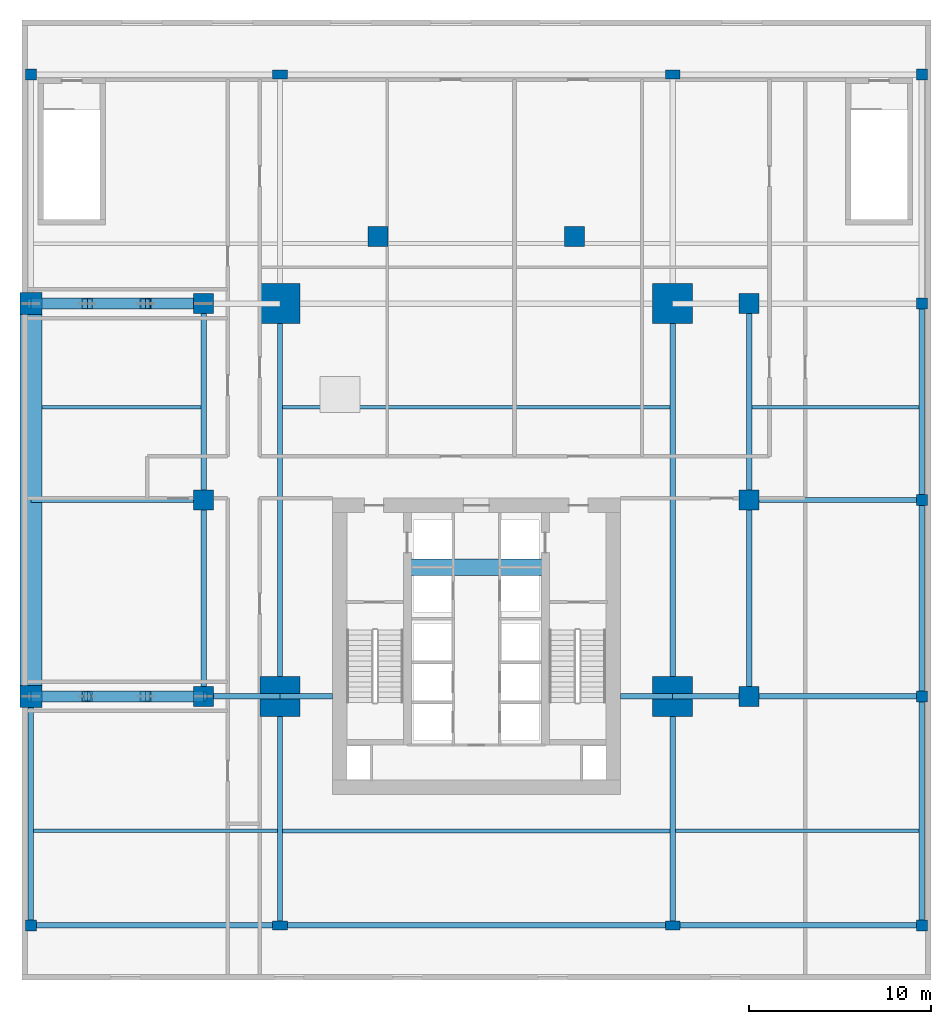
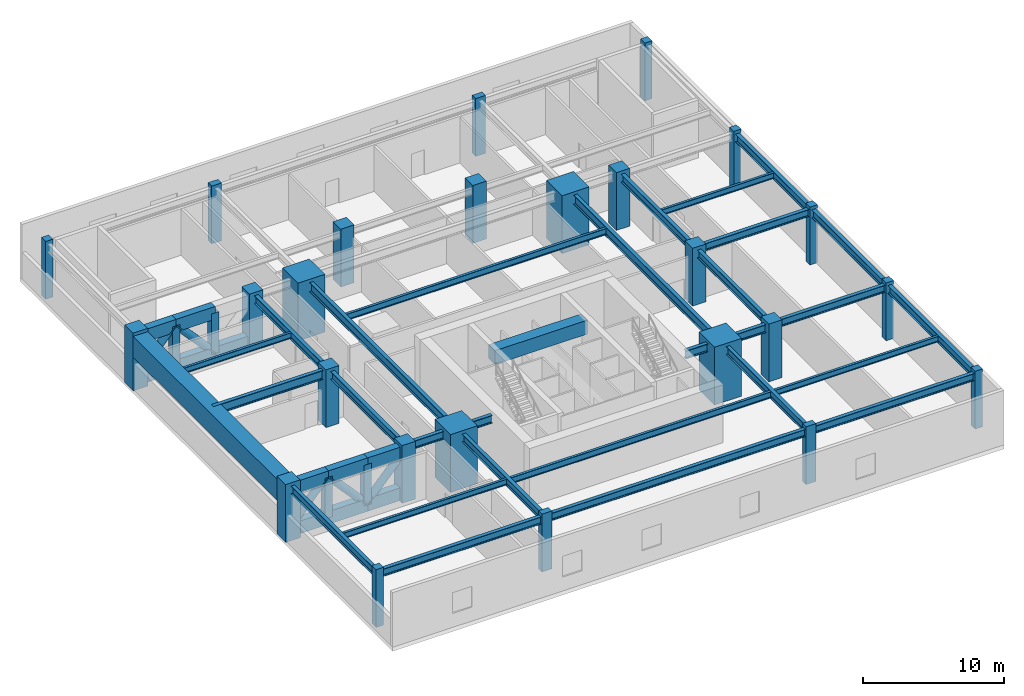
# One storey, part 1 of 7: 41 beams, 25 columns, 9 members.
"""IFC4 building model written with IfcOpenShell, lengths in metres."""

from ifc_helpers import new_model, si_unit, direction, frame, origin, origin_2d, place, context, subcontext, project, spatial, rectangle, hollow_rectangle, hollow_circle, i_section, extrude, source, transform, mapped, material, material_profile, profile_set, type_object, type_shapes, element, save


model = new_model("IFC4")

# Units and contexts
model_context = context("Model", 3, precision=1e-05, world=origin(), true_north=direction((0.0, 1.0)))
body_context = subcontext(model_context, "Body", "Model", "MODEL_VIEW")
ifc_project = project(units=[si_unit("LENGTHUNIT", "METRE"), si_unit("AREAUNIT", "SQUARE_METRE"), si_unit("VOLUMEUNIT", "CUBIC_METRE"), si_unit("PLANEANGLEUNIT", "RADIAN"), si_unit("MASSUNIT", "GRAM", prefix="KILO")], contexts=[model_context])

# Site, building, storey
site_placement = place(None, origin())
site = spatial("IfcSite", under=ifc_project, at=site_placement, CompositionType="ELEMENT")
building_placement = place(site_placement, origin())
building = spatial("IfcBuilding", under=site, at=building_placement, Name="Krantzveldt Concourse Tower", CompositionType="ELEMENT")
storey_placement = place(building_placement, frame((0.0, 0.0, 20.0)))
storey = spatial("IfcBuildingStorey", under=building, at=storey_placement, Name="L04", CompositionType="ELEMENT", Elevation=20.0)

# Columns
ifc_material_1 = material(Name="Concrete C60/75", Category="concrete")
ifc_material_profile_1 = material_profile(ifc_material_1, rectangle(XDim=2.199951171875, YDim=2.199951171875, at=origin_2d()), Name="Concrete C60/75", Category="concrete")
ifc_profile_set_1 = profile_set([ifc_material_profile_1], Name="Concrete C60/75 - RC 2200x2200")
column_type_1 = type_object("IfcColumnType", Name="COL-MC-2200", PredefinedType="USERDEFINED", material=ifc_profile_set_1)
shared_shape_1 = source(origin(), body_context, "Body", "SweptSolid", [
    extrude(rectangle(XDim=2.199951171875, YDim=2.199951171875, at=origin_2d()), origin(), (0.0, 0.0, 1.0), 5.0),
])
type_shapes(column_type_1, [shared_shape_1])
for number, where, z_axis, x_axis, name in (
    (1, (25.199951171875, 15.89990234375, 0.0), (0.0, 0.0, 1.0), (1.0, 0.0, 0.0), "MC-SW-L04"),
    (2, (46.800048828125, 15.89990234375, 0.0), (0.0, 0.0, 1.0), (1.0, 0.0, 0.0), "MC-SE-L04"),
    (3, (46.800048828125, 37.5, 0.0), (0.0, 0.0, 1.0), (1.0, 0.0, 0.0), "MC-NE-L04"),
    (4, (25.199951171875, 37.5, 0.0), (0.0, 0.0, 1.0), (1.0, 0.0, 0.0), "MC-NW-L04"),
):
    element("IfcColumn", number, at=place(storey_placement, frame(where, z_axis=z_axis, x_axis=x_axis)), inside=storey, type_object=column_type_1, Name=name, ObjectType="MEGA COLUMN", PredefinedType="USERDEFINED", context=body_context, shape_type="MappedRepresentation", body=[
        mapped(shared_shape_1, transform((0.0, 0.0, 0.0), x_axis=(1.0, 0.0, 0.0), y_axis=(0.0, 1.0, 0.0), z_axis=(0.0, 0.0, 1.0), scale=1.0)),
    ])
ifc_material_profile_2 = material_profile(ifc_material_1, rectangle(XDim=1.10009765625, YDim=1.10009765625, at=origin_2d()), Name="Concrete C60/75", Category="concrete")
ifc_profile_set_2 = profile_set([ifc_material_profile_2], Name="Concrete C60/75 - RC 1100x1100")
column_type_2 = type_object("IfcColumnType", Name="COL-C-Z1", PredefinedType="COLUMN", material=ifc_profile_set_2)
shared_shape_2 = source(origin(), body_context, "Body", "SweptSolid", [
    extrude(rectangle(XDim=1.10009765625, YDim=1.10009765625, at=origin_2d()), origin(), (0.0, 0.0, 1.0), 5.0),
])
type_shapes(column_type_2, [shared_shape_2])
for number, where, z_axis, x_axis, name in (
    (5, (21.0, 15.89990234375, 0.0), (0.0, 0.0, 1.0), (1.0, 0.0, 0.0), "PC-R01-L04"),
    (6, (21.0, 26.699951171875, 0.0), (0.0, 0.0, 1.0), (1.0, 0.0, 0.0), "PC-R02-L04"),
    (7, (21.0, 37.5, 0.0), (0.0, 0.0, 1.0), (1.0, 0.0, 0.0), "PC-R03-L04"),
    (8, (30.60009765625, 41.199951171875, 0.0), (0.0, 0.0, 1.0), (1.0, 0.0, 0.0), "PC-R04-L04"),
    (9, (41.39990234375, 41.199951171875, 0.0), (0.0, 0.0, 1.0), (1.0, 0.0, 0.0), "PC-R05-L04"),
    (10, (51.0, 37.5, 0.0), (0.0, 0.0, 1.0), (1.0, 0.0, 0.0), "PC-R06-L04"),
    (11, (51.0, 26.699951171875, 0.0), (0.0, 0.0, 1.0), (1.0, 0.0, 0.0), "PC-R07-L04"),
    (12, (51.0, 15.89990234375, 0.0), (0.0, 0.0, 1.0), (1.0, 0.0, 0.0), "PC-R08-L04"),
):
    element("IfcColumn", number, at=place(storey_placement, frame(where, z_axis=z_axis, x_axis=x_axis)), inside=storey, type_object=column_type_2, Name=name, PredefinedType="COLUMN", context=body_context, shape_type="MappedRepresentation", body=[
        mapped(shared_shape_2, transform((0.0, 0.0, 0.0), x_axis=(1.0, 0.0, 0.0), y_axis=(0.0, 1.0, 0.0), z_axis=(0.0, 0.0, 1.0), scale=1.0)),
    ])
ifc_material_2 = material(Name="Concrete C40/50", Category="concrete")
ifc_material_profile_3 = material_profile(ifc_material_2, rectangle(XDim=0.60009765625, YDim=0.60009765625, at=origin_2d()), Name="Concrete C40/50", Category="concrete")
ifc_profile_set_3 = profile_set([ifc_material_profile_3], Name="Concrete C40/50 - RC 600x600")
column_type_3 = type_object("IfcColumnType", Name="COL-C-POD", PredefinedType="COLUMN", material=ifc_profile_set_3)
shared_shape_3 = source(origin(), body_context, "Body", "SweptSolid", [
    extrude(rectangle(XDim=0.60009765625, YDim=0.60009765625, at=origin_2d()), origin(), (0.0, 0.0, 1.0), 5.0),
])
type_shapes(column_type_3, [shared_shape_3])
for number, where, z_axis, x_axis, name in (
    (13, (11.5, 50.10009765625, 0.0), (0.0, 0.0, 1.0), (1.0, 0.0, 0.0), "PC-IW4-L04"),
    (14, (11.5, 3.300048828125, 0.0), (0.0, 0.0, 1.0), (1.0, 0.0, 0.0), "PC-IWS-L04"),
    (15, (60.5, 15.89990234375, 0.0), (0.0, 0.0, 1.0), (1.0, 0.0, 0.0), "PC-IE1-L04"),
    (16, (60.5, 26.699951171875, 0.0), (0.0, 0.0, 1.0), (1.0, 0.0, 0.0), "PC-IE2-L04"),
    (17, (60.5, 37.5, 0.0), (0.0, 0.0, 1.0), (1.0, 0.0, 0.0), "PC-IE3-L04"),
    (18, (60.5, 50.10009765625, 0.0), (0.0, 0.0, 1.0), (1.0, 0.0, 0.0), "PC-IE4-L04"),
    (19, (60.5, 3.300048828125, 0.0), (0.0, 0.0, 1.0), (1.0, 0.0, 0.0), "PC-IES-L04"),
):
    element("IfcColumn", number, at=place(storey_placement, frame(where, z_axis=z_axis, x_axis=x_axis)), inside=storey, type_object=column_type_3, Name=name, PredefinedType="COLUMN", context=body_context, shape_type="MappedRepresentation", body=[
        mapped(shared_shape_3, transform((0.0, 0.0, 0.0), x_axis=(1.0, 0.0, 0.0), y_axis=(0.0, 1.0, 0.0), z_axis=(0.0, 0.0, 1.0), scale=1.0)),
    ])
ifc_material_3 = material(Name="Concrete C50/60", Category="concrete")
ifc_material_profile_4 = material_profile(ifc_material_3, rectangle(XDim=1.199951171875, YDim=1.199951171875, at=origin_2d()), Name="Concrete C50/60", Category="concrete")
ifc_profile_set_4 = profile_set([ifc_material_profile_4], Name="Concrete C50/60 - RC 1200x1200")
column_type_4 = type_object("IfcColumnType", Name="COL-MC-1200", PredefinedType="USERDEFINED", material=ifc_profile_set_4)
shared_shape_4 = source(origin(), body_context, "Body", "SweptSolid", [
    extrude(rectangle(XDim=1.199951171875, YDim=1.199951171875, at=origin_2d()), origin(), (0.0, 0.0, 1.0), 5.0),
])
type_shapes(column_type_4, [shared_shape_4])
for number, where, z_axis, x_axis, name in (
    (20, (11.5, 15.89990234375, 0.0), (0.0, 0.0, 1.0), (1.0, 0.0, 0.0), "PC-IW1-L04"),
    (21, (11.5, 37.5, 0.0), (0.0, 0.0, 1.0), (1.0, 0.0, 0.0), "PC-IW3-L04"),
):
    element("IfcColumn", number, at=place(storey_placement, frame(where, z_axis=z_axis, x_axis=x_axis)), inside=storey, type_object=column_type_4, Name=name, ObjectType="MEGA COLUMN", PredefinedType="USERDEFINED", context=body_context, shape_type="MappedRepresentation", body=[
        mapped(shared_shape_4, transform((0.0, 0.0, 0.0), x_axis=(1.0, 0.0, 0.0), y_axis=(0.0, 1.0, 0.0), z_axis=(0.0, 0.0, 1.0), scale=1.0)),
    ])
ifc_material_profile_5 = material_profile(ifc_material_3, rectangle(XDim=0.800048828125, YDim=0.5, at=origin_2d()), Name="Concrete C50/60", Category="concrete")
ifc_profile_set_5 = profile_set([ifc_material_profile_5], Name="Concrete C50/60 - RC-PIL 800x500")
column_type_5 = type_object("IfcColumnType", Name="COL-PIL-800", PredefinedType="PILASTER", material=ifc_profile_set_5)
shared_shape_5 = source(origin(), body_context, "Body", "SweptSolid", [
    extrude(rectangle(XDim=0.800048828125, YDim=0.5, at=origin_2d()), origin(), (0.0, 0.0, 1.0), 5.0),
])
type_shapes(column_type_5, [shared_shape_5])
for number, where, z_axis, x_axis, name in (
    (22, (25.199951171875, 3.300048828125, 0.0), (0.0, 0.0, 1.0), (1.0, 0.0, 0.0), "PC-PIL1-L04"),
    (23, (46.800048828125, 3.300048828125, 0.0), (0.0, 0.0, 1.0), (1.0, 0.0, 0.0), "PC-PIL2-L04"),
    (24, (25.199951171875, 50.10009765625, 0.0), (0.0, 0.0, 1.0), (1.0, 0.0, 0.0), "PC-PIL3-L04"),
    (25, (46.800048828125, 50.10009765625, 0.0), (0.0, 0.0, 1.0), (1.0, 0.0, 0.0), "PC-PIL4-L04"),
):
    element("IfcColumn", number, at=place(storey_placement, frame(where, z_axis=z_axis, x_axis=x_axis)), inside=storey, type_object=column_type_5, Name=name, PredefinedType="PILASTER", context=body_context, shape_type="MappedRepresentation", body=[
        mapped(shared_shape_5, transform((0.0, 0.0, 0.0), x_axis=(1.0, 0.0, 0.0), y_axis=(0.0, 1.0, 0.0), z_axis=(0.0, 0.0, 1.0), scale=1.0)),
    ])

# Beams
ifc_material_profile_6 = material_profile(ifc_material_3, rectangle(XDim=0.89990234375, YDim=1.199951171875, at=origin_2d()), Name="Concrete C50/60", Category="concrete")
ifc_profile_set_6 = profile_set([ifc_material_profile_6], Name="Concrete C50/60 - RC-CB 900x1200")
beam_type_1 = type_object("IfcBeamType", Name="BM-CB-1200", PredefinedType="LINTEL", material=ifc_profile_set_6)
shared_shape_6 = source(origin(), body_context, "Body", "SweptSolid", [
    extrude(rectangle(XDim=0.89990234375, YDim=1.199951171875, at=origin_2d()), origin(), (0.0, 0.0, 1.0), 7.580078125),
])
type_shapes(beam_type_1, [shared_shape_6])
beam_1_placement = place(storey_placement, frame((32.2099609375, 23.0, 4.1201171875), z_axis=(1.0, 0.0, 0.0), x_axis=(0.0, 1.0, 0.0)))
element("IfcBeam", 26, at=beam_1_placement, inside=storey, type_object=beam_type_1, Name="CB-L04-01", PredefinedType="LINTEL", context=body_context, shape_type="MappedRepresentation", body=[
    mapped(shared_shape_6, transform((0.0, 0.0, 0.0), x_axis=(1.0, 0.0, 0.0), y_axis=(0.0, 1.0, 0.0), z_axis=(0.0, 0.0, 1.0), scale=1.0)),
])
ifc_material_4 = material(Name="Steel S355J2", Category="steel")
ifc_material_profile_7 = material_profile(ifc_material_4, i_section(OverallWidth=0.300048828125, OverallDepth=0.800048828125, WebThickness=0.017578125, FlangeThickness=0.032958984375, FilletRadius=0.030029296875, at=origin_2d()), Name="Steel S355J2", Category="steel")
ifc_profile_set_7 = profile_set([ifc_material_profile_7], Name="Steel S355J2 - HEB 800")
beam_type_2 = type_object("IfcBeamType", Name="BM-B-HEB800", PredefinedType="BEAM", material=ifc_profile_set_7)
shared_shape_7 = source(origin(), body_context, "Body", "SweptSolid", [
    extrude(i_section(OverallWidth=0.300048828125, OverallDepth=0.800048828125, WebThickness=0.017578125, FlangeThickness=0.032958984375, FilletRadius=0.030029296875, at=origin_2d()), origin(), (0.0, 0.0, 1.0), 21.60009765625),
])
for number, where, z_axis, x_axis, name in (
    (27, (25.199951171875, 15.89990234375, 4.320068359375), (0.0, 1.0, 0.0), (-1.0, 0.0, 0.0), "L04 Podium Primary Girder BG-MW"),
    (28, (46.800048828125, 15.89990234375, 4.320068359375), (0.0, 1.0, 0.0), (-1.0, 0.0, 0.0), "L04 Podium Primary Girder BG-ME"),
):
    element("IfcBeam", number, at=place(storey_placement, frame(where, z_axis=z_axis, x_axis=x_axis)), inside=storey, type_object=beam_type_2, Name=name, PredefinedType="BEAM", context=body_context, shape_type="MappedRepresentation", body=[
        mapped(shared_shape_7, transform((0.0, 0.0, 0.0), x_axis=(1.0, 0.0, 0.0), y_axis=(0.0, 1.0, 0.0), z_axis=(0.0, 0.0, 1.0), scale=1.0)),
    ])
ifc_material_5 = material(Name="Steel S355JR", Category="steel")
ifc_material_profile_8 = material_profile(ifc_material_5, i_section(OverallWidth=0.300048828125, OverallDepth=0.68994140625, WebThickness=0.014404296875, FlangeThickness=0.027099609375, FilletRadius=0.027099609375, at=origin_2d()), Name="Steel S355JR", Category="steel")
ifc_profile_set_8 = profile_set([ifc_material_profile_8], Name="Steel S355JR - HEA 700")
beam_type_3 = type_object("IfcBeamType", Name="BM-B-HEA700", PredefinedType="BEAM", material=ifc_profile_set_8)
shared_shape_8 = source(origin(), body_context, "Body", "SweptSolid", [
    extrude(i_section(OverallWidth=0.300048828125, OverallDepth=0.68994140625, WebThickness=0.014404296875, FlangeThickness=0.027099609375, FilletRadius=0.027099609375, at=origin_2d()), origin(), (0.0, 0.0, 1.0), 10.800048828125),
])
for number, where, z_axis, x_axis, name in (
    (29, (21.0, 15.89990234375, 4.375), (0.0, 1.0, 0.0), (-1.0, 0.0, 0.0), "L04 Podium Primary Girder BG-RW1"),
    (30, (21.0, 26.699951171875, 4.375), (0.0, 1.0, 0.0), (-1.0, 0.0, 0.0), "L04 Podium Primary Girder BG-RW2"),
    (31, (51.0, 15.89990234375, 4.375), (0.0, 1.0, 0.0), (-1.0, 0.0, 0.0), "L04 Podium Primary Girder BG-RE1"),
    (32, (51.0, 26.699951171875, 4.375), (0.0, 1.0, 0.0), (-1.0, 0.0, 0.0), "L04 Podium Primary Girder BG-RE2"),
    (33, (60.5, 15.89990234375, 4.375), (0.0, 1.0, 0.0), (-1.0, 0.0, 0.0), "L04 Podium Primary Girder BG-IE-2"),
    (34, (60.5, 26.699951171875, 4.375), (0.0, 1.0, 0.0), (-1.0, 0.0, 0.0), "L04 Podium Primary Girder BG-IE-3"),
):
    element("IfcBeam", number, at=place(storey_placement, frame(where, z_axis=z_axis, x_axis=x_axis)), inside=storey, type_object=beam_type_3, Name=name, PredefinedType="BEAM", context=body_context, shape_type="MappedRepresentation", body=[
        mapped(shared_shape_8, transform((0.0, 0.0, 0.0), x_axis=(1.0, 0.0, 0.0), y_axis=(0.0, 1.0, 0.0), z_axis=(0.0, 0.0, 1.0), scale=1.0)),
    ])
ifc_material_profile_9 = material_profile(ifc_material_4, i_section(OverallWidth=0.300048828125, OverallDepth=0.699951171875, WebThickness=0.01708984375, FlangeThickness=0.031982421875, FilletRadius=0.027099609375, at=origin_2d()), Name="Steel S355J2", Category="steel")
ifc_profile_set_9 = profile_set([ifc_material_profile_9], Name="Steel S355J2 - HEB 700")
beam_type_4 = type_object("IfcBeamType", Name="BM-B-HEB700", PredefinedType="BEAM", material=ifc_profile_set_9)
shared_shape_9 = source(origin(), body_context, "Body", "SweptSolid", [
    extrude(i_section(OverallWidth=0.300048828125, OverallDepth=0.699951171875, WebThickness=0.01708984375, FlangeThickness=0.031982421875, FilletRadius=0.027099609375, at=origin_2d()), origin(), (0.0, 0.0, 1.0), 4.199951171875),
])
for number, where, z_axis, x_axis, name in (
    (35, (21.0, 15.89990234375, 4.3701171875), (1.0, 0.0, 0.0), (0.0, 1.0, 0.0), "L04 Podium Primary Girder BG-RL1"),
    (36, (46.800048828125, 15.89990234375, 4.3701171875), (1.0, 0.0, 0.0), (0.0, 1.0, 0.0), "L04 Podium Primary Girder BG-RR1"),
):
    element("IfcBeam", number, at=place(storey_placement, frame(where, z_axis=z_axis, x_axis=x_axis)), inside=storey, type_object=beam_type_4, Name=name, PredefinedType="BEAM", context=body_context, shape_type="MappedRepresentation", body=[
        mapped(shared_shape_9, transform((0.0, 0.0, 0.0), x_axis=(1.0, 0.0, 0.0), y_axis=(0.0, 1.0, 0.0), z_axis=(0.0, 0.0, 1.0), scale=1.0)),
    ])
shared_shape_10 = source(origin(), body_context, "Body", "SweptSolid", [
    extrude(i_section(OverallWidth=0.300048828125, OverallDepth=0.699951171875, WebThickness=0.01708984375, FlangeThickness=0.031982421875, FilletRadius=0.027099609375, at=origin_2d()), origin(), (0.0, 0.0, 1.0), 2.880126953125),
])
type_shapes(beam_type_4, [shared_shape_9, shared_shape_10])
for number, where, z_axis, x_axis, name in (
    (37, (25.199951171875, 15.89990234375, 4.3701171875), (1.0, 0.0, 0.0), (0.0, 1.0, 0.0), "L04 Podium Primary Girder BG-CW"),
    (38, (43.919921875, 15.89990234375, 4.3701171875), (1.0, 0.0, 0.0), (0.0, 1.0, 0.0), "L04 Podium Primary Girder BG-CE"),
):
    element("IfcBeam", number, at=place(storey_placement, frame(where, z_axis=z_axis, x_axis=x_axis)), inside=storey, type_object=beam_type_4, Name=name, PredefinedType="BEAM", context=body_context, shape_type="MappedRepresentation", body=[
        mapped(shared_shape_10, transform((0.0, 0.0, 0.0), x_axis=(1.0, 0.0, 0.0), y_axis=(0.0, 1.0, 0.0), z_axis=(0.0, 0.0, 1.0), scale=1.0)),
    ])
shared_shape_11 = source(origin(), body_context, "Body", "SweptSolid", [
    extrude(i_section(OverallWidth=0.300048828125, OverallDepth=0.68994140625, WebThickness=0.014404296875, FlangeThickness=0.027099609375, FilletRadius=0.027099609375, at=origin_2d()), origin(), (0.0, 0.0, 1.0), 12.599853515625),
])
type_shapes(beam_type_3, [shared_shape_8, shared_shape_11])
for number, where, z_axis, x_axis, name in (
    (39, (25.199951171875, 3.300048828125, 4.375), (0.0, 1.0, 0.0), (-1.0, 0.0, 0.0), "L04 Podium Primary Girder BG-PS1"),
    (40, (46.800048828125, 3.300048828125, 4.375), (0.0, 1.0, 0.0), (-1.0, 0.0, 0.0), "L04 Podium Primary Girder BG-PS2"),
    (41, (11.5, 3.300048828125, 4.375), (0.0, 1.0, 0.0), (-1.0, 0.0, 0.0), "L04 Podium Primary Girder BG-IW-1"),
    (42, (60.5, 3.300048828125, 4.375), (0.0, 1.0, 0.0), (-1.0, 0.0, 0.0), "L04 Podium Primary Girder BG-IE-1"),
):
    element("IfcBeam", number, at=place(storey_placement, frame(where, z_axis=z_axis, x_axis=x_axis)), inside=storey, type_object=beam_type_3, Name=name, PredefinedType="BEAM", context=body_context, shape_type="MappedRepresentation", body=[
        mapped(shared_shape_11, transform((0.0, 0.0, 0.0), x_axis=(1.0, 0.0, 0.0), y_axis=(0.0, 1.0, 0.0), z_axis=(0.0, 0.0, 1.0), scale=1.0)),
    ])
ifc_material_profile_10 = material_profile(ifc_material_5, i_section(OverallWidth=0.300048828125, OverallDepth=0.639892578125, WebThickness=0.013427734375, FlangeThickness=0.02587890625, FilletRadius=0.027099609375, at=origin_2d()), Name="Steel S355JR", Category="steel")
ifc_profile_set_10 = profile_set([ifc_material_profile_10], Name="Steel S355JR - HEA 650")
beam_type_5 = type_object("IfcBeamType", Name="BM-B-HEA650", PredefinedType="BEAM", material=ifc_profile_set_10)
shared_shape_12 = source(origin(), body_context, "Body", "SweptSolid", [
    extrude(i_section(OverallWidth=0.300048828125, OverallDepth=0.639892578125, WebThickness=0.013427734375, FlangeThickness=0.02587890625, FilletRadius=0.027099609375, at=origin_2d()), origin(), (0.0, 0.0, 1.0), 13.699951171875),
])
for number, where, z_axis, x_axis, name in (
    (43, (11.5, 3.300048828125, 4.39990234375), (1.0, 0.0, 0.0), (0.0, 1.0, 0.0), "L04 Podium Primary Girder BG-SN1"),
    (44, (46.800048828125, 3.300048828125, 4.39990234375), (1.0, 0.0, 0.0), (0.0, 1.0, 0.0), "L04 Podium Primary Girder BG-SN3"),
):
    element("IfcBeam", number, at=place(storey_placement, frame(where, z_axis=z_axis, x_axis=x_axis)), inside=storey, type_object=beam_type_5, Name=name, PredefinedType="BEAM", context=body_context, shape_type="MappedRepresentation", body=[
        mapped(shared_shape_12, transform((0.0, 0.0, 0.0), x_axis=(1.0, 0.0, 0.0), y_axis=(0.0, 1.0, 0.0), z_axis=(0.0, 0.0, 1.0), scale=1.0)),
    ])
shared_shape_13 = source(origin(), body_context, "Body", "SweptSolid", [
    extrude(i_section(OverallWidth=0.300048828125, OverallDepth=0.639892578125, WebThickness=0.013427734375, FlangeThickness=0.02587890625, FilletRadius=0.027099609375, at=origin_2d()), origin(), (0.0, 0.0, 1.0), 21.60009765625),
])
beam_2_placement = place(storey_placement, frame((25.199951171875, 3.300048828125, 4.39990234375), z_axis=(1.0, 0.0, 0.0), x_axis=(0.0, 1.0, 0.0)))
element("IfcBeam", 45, at=beam_2_placement, inside=storey, type_object=beam_type_5, Name="L04 Podium Primary Girder BG-SN2", PredefinedType="BEAM", context=body_context, shape_type="MappedRepresentation", body=[
    mapped(shared_shape_13, transform((0.0, 0.0, 0.0), x_axis=(1.0, 0.0, 0.0), y_axis=(0.0, 1.0, 0.0), z_axis=(0.0, 0.0, 1.0), scale=1.0)),
])
ifc_material_profile_11 = material_profile(ifc_material_1, rectangle(XDim=1.199951171875, YDim=1.800048828125, at=origin_2d()), Name="Concrete C60/75", Category="concrete")
ifc_profile_set_11 = profile_set([ifc_material_profile_11], Name="Concrete C60/75 - RC-TB 1200x1800")
beam_type_6 = type_object("IfcBeamType", Name="BM-RCTB-1800", PredefinedType="USERDEFINED", material=ifc_profile_set_11)
shared_shape_14 = source(origin(), body_context, "Body", "SweptSolid", [
    extrude(rectangle(XDim=1.199951171875, YDim=1.800048828125, at=origin_2d()), origin(), (0.0, 0.0, 1.0), 21.60009765625),
])
type_shapes(beam_type_6, [shared_shape_14])
beam_3_placement = place(storey_placement, frame((11.5, 15.89990234375, 3.820068359375), z_axis=(0.0, 1.0, 0.0), x_axis=(-1.0, 0.0, 0.0)))
element("IfcBeam", 46, at=beam_3_placement, inside=storey, type_object=beam_type_6, Name="L04 Podium Primary Girder BG-IW-2", ObjectType="TRANSFER GIRDER", PredefinedType="USERDEFINED", context=body_context, shape_type="MappedRepresentation", body=[
    mapped(shared_shape_14, transform((0.0, 0.0, 0.0), x_axis=(1.0, 0.0, 0.0), y_axis=(0.0, 1.0, 0.0), z_axis=(0.0, 0.0, 1.0), scale=1.0)),
])
shared_shape_15 = source(origin(), body_context, "Body", "SweptSolid", [
    extrude(i_section(OverallWidth=0.300048828125, OverallDepth=0.639892578125, WebThickness=0.013427734375, FlangeThickness=0.02587890625, FilletRadius=0.027099609375, at=origin_2d()), origin(), (0.0, 0.0, 1.0), 9.5),
])
type_shapes(beam_type_5, [shared_shape_12, shared_shape_13, shared_shape_15])
for number, where, z_axis, x_axis, name in (
    (47, (51.0, 15.89990234375, 4.39990234375), (1.0, 0.0, 0.0), (0.0, 1.0, 0.0), "L04 Podium Primary Girder BG-ME1"),
    (48, (51.0, 26.699951171875, 4.39990234375), (1.0, 0.0, 0.0), (0.0, 1.0, 0.0), "L04 Podium Primary Girder BG-ME2"),
):
    element("IfcBeam", number, at=place(storey_placement, frame(where, z_axis=z_axis, x_axis=x_axis)), inside=storey, type_object=beam_type_5, Name=name, PredefinedType="BEAM", context=body_context, shape_type="MappedRepresentation", body=[
        mapped(shared_shape_15, transform((0.0, 0.0, 0.0), x_axis=(1.0, 0.0, 0.0), y_axis=(0.0, 1.0, 0.0), z_axis=(0.0, 0.0, 1.0), scale=1.0)),
    ])
ifc_material_profile_12 = material_profile(ifc_material_5, i_section(OverallWidth=0.2099609375, OverallDepth=0.550048828125, WebThickness=0.010986328125, FlangeThickness=0.01708984375, FilletRadius=0.02392578125, at=origin_2d()), Name="Steel S355JR", Category="steel")
ifc_profile_set_12 = profile_set([ifc_material_profile_12], Name="Steel S355JR - IPE 550")
beam_type_7 = type_object("IfcBeamType", Name="BM-J-IPE550", PredefinedType="JOIST", material=ifc_profile_set_12)
shared_shape_16 = source(origin(), body_context, "Body", "SweptSolid", [
    extrude(i_section(OverallWidth=0.2099609375, OverallDepth=0.550048828125, WebThickness=0.010986328125, FlangeThickness=0.01708984375, FilletRadius=0.02392578125, at=origin_2d()), origin(), (0.0, 0.0, 1.0), 21.2998046875),
])
type_shapes(beam_type_7, [shared_shape_16])
for number, where, z_axis, x_axis, name in (
    (49, (25.35009765625, 8.5, 4.445068359375), (1.0, 0.0, 0.0), (0.0, 1.0, 0.0), "L04 Central Floor Joist 1"),
    (50, (25.35009765625, 31.800048828125, 4.445068359375), (1.0, 0.0, 0.0), (0.0, 1.0, 0.0), "L04 Central Floor Joist 2"),
):
    element("IfcBeam", number, at=place(storey_placement, frame(where, z_axis=z_axis, x_axis=x_axis)), inside=storey, type_object=beam_type_7, Name=name, PredefinedType="JOIST", context=body_context, shape_type="MappedRepresentation", body=[
        mapped(shared_shape_16, transform((0.0, 0.0, 0.0), x_axis=(1.0, 0.0, 0.0), y_axis=(0.0, 1.0, 0.0), z_axis=(0.0, 0.0, 1.0), scale=1.0)),
    ])
ifc_material_profile_13 = material_profile(ifc_material_5, i_section(OverallWidth=0.199951171875, OverallDepth=0.5, WebThickness=0.01025390625, FlangeThickness=0.01611328125, FilletRadius=0.02099609375, at=origin_2d()), Name="Steel S355JR", Category="steel")
ifc_profile_set_13 = profile_set([ifc_material_profile_13], Name="Steel S355JR - IPE 500")
beam_type_8 = type_object("IfcBeamType", Name="BM-J-IPE500", PredefinedType="JOIST", material=ifc_profile_set_13)
shared_shape_17 = source(origin(), body_context, "Body", "SweptSolid", [
    extrude(i_section(OverallWidth=0.199951171875, OverallDepth=0.5, WebThickness=0.01025390625, FlangeThickness=0.01611328125, FilletRadius=0.02099609375, at=origin_2d()), origin(), (0.0, 0.0, 1.0), 13.400146484375),
])
for number, where, z_axis, x_axis, name in (
    (51, (11.64990234375, 8.5, 4.469970703125), (1.0, 0.0, 0.0), (0.0, 1.0, 0.0), "L04 West Inner Joist 1"),
    (52, (46.949951171875, 8.5, 4.469970703125), (1.0, 0.0, 0.0), (0.0, 1.0, 0.0), "L04 East Inner Joist 1"),
):
    element("IfcBeam", number, at=place(storey_placement, frame(where, z_axis=z_axis, x_axis=x_axis)), inside=storey, type_object=beam_type_8, Name=name, PredefinedType="JOIST", context=body_context, shape_type="MappedRepresentation", body=[
        mapped(shared_shape_17, transform((0.0, 0.0, 0.0), x_axis=(1.0, 0.0, 0.0), y_axis=(0.0, 1.0, 0.0), z_axis=(0.0, 0.0, 1.0), scale=1.0)),
    ])
shared_shape_18 = source(origin(), body_context, "Body", "SweptSolid", [
    extrude(i_section(OverallWidth=0.199951171875, OverallDepth=0.5, WebThickness=0.01025390625, FlangeThickness=0.01611328125, FilletRadius=0.02099609375, at=origin_2d()), origin(), (0.0, 0.0, 1.0), 8.75),
])
beam_4_placement = place(storey_placement, frame((12.10009765625, 31.800048828125, 4.469970703125), z_axis=(1.0, 0.0, 0.0), x_axis=(0.0, 1.0, 0.0)))
element("IfcBeam", 53, at=beam_4_placement, inside=storey, type_object=beam_type_8, Name="L04 West Inner Joist 2", PredefinedType="JOIST", context=body_context, shape_type="MappedRepresentation", body=[
    mapped(shared_shape_18, transform((0.0, 0.0, 0.0), x_axis=(1.0, 0.0, 0.0), y_axis=(0.0, 1.0, 0.0), z_axis=(0.0, 0.0, 1.0), scale=1.0)),
])
shared_shape_19 = source(origin(), body_context, "Body", "SweptSolid", [
    extrude(i_section(OverallWidth=0.199951171875, OverallDepth=0.5, WebThickness=0.01025390625, FlangeThickness=0.01611328125, FilletRadius=0.02099609375, at=origin_2d()), origin(), (0.0, 0.0, 1.0), 9.2001953125),
])
type_shapes(beam_type_8, [shared_shape_17, shared_shape_18, shared_shape_19])
beam_5_placement = place(storey_placement, frame((51.14990234375, 31.800048828125, 4.469970703125), z_axis=(1.0, 0.0, 0.0), x_axis=(0.0, 1.0, 0.0)))
element("IfcBeam", 54, at=beam_5_placement, inside=storey, type_object=beam_type_8, Name="L04 East Inner Joist 2", PredefinedType="JOIST", context=body_context, shape_type="MappedRepresentation", body=[
    mapped(shared_shape_19, transform((0.0, 0.0, 0.0), x_axis=(1.0, 0.0, 0.0), y_axis=(0.0, 1.0, 0.0), z_axis=(0.0, 0.0, 1.0), scale=1.0)),
])
shared_shape_20 = source(origin(), body_context, "Body", "SweptSolid", [
    extrude(i_section(OverallWidth=0.300048828125, OverallDepth=0.800048828125, WebThickness=0.017578125, FlangeThickness=0.032958984375, FilletRadius=0.030029296875, at=origin_2d()), origin(), (0.0, 0.0, 1.0), 9.5),
])
type_shapes(beam_type_2, [shared_shape_7, shared_shape_20])
beam_6_placement = place(storey_placement, frame((11.5, 26.699951171875, 4.320068359375), z_axis=(1.0, 0.0, 0.0), x_axis=(0.0, 1.0, 0.0)))
element("IfcBeam", 55, at=beam_6_placement, inside=storey, type_object=beam_type_2, Name="L04 Podium Primary Girder BG-W4-2", PredefinedType="BEAM", context=body_context, shape_type="MappedRepresentation", body=[
    mapped(shared_shape_20, transform((0.0, 0.0, 0.0), x_axis=(1.0, 0.0, 0.0), y_axis=(0.0, 1.0, 0.0), z_axis=(0.0, 0.0, 1.0), scale=1.0)),
])
ifc_material_profile_14 = material_profile(ifc_material_4, hollow_rectangle(XDim=0.60009765625, YDim=1.10009765625, WallThickness=0.054931640625, at=origin_2d()), Name="Steel S355J2", Category="steel")
ifc_profile_set_14 = profile_set([ifc_material_profile_14], Name="Steel S355J2 - RHS 1100x600x55")
beam_type_9 = type_object("IfcBeamType", Name="BM-TT-CHD1100", PredefinedType="BEAM", material=ifc_profile_set_14)
shared_shape_21 = source(origin(), body_context, "Body", "SweptSolid", [
    extrude(hollow_rectangle(XDim=0.60009765625, YDim=1.10009765625, WallThickness=0.054931640625, at=origin_2d()), origin(), (0.0, 0.0, 1.0), 3.10009765625),
])
for number, where, z_axis, x_axis, name in (
    (56, (11.5, 15.89990234375, 0.64990234375), (1.0, 0.0, 0.0), (0.0, 1.0, 0.0), "TT1-BC-1"),
    (57, (11.5, 15.89990234375, 4.169921875), (1.0, 0.0, 0.0), (0.0, 1.0, 0.0), "TT1-TC-1"),
    (58, (11.5, 37.5, 0.64990234375), (1.0, 0.0, 0.0), (0.0, 1.0, 0.0), "TT2-BC-1"),
    (59, (11.5, 37.5, 4.169921875), (1.0, 0.0, 0.0), (0.0, 1.0, 0.0), "TT2-TC-1"),
):
    element("IfcBeam", number, at=place(storey_placement, frame(where, z_axis=z_axis, x_axis=x_axis)), inside=storey, type_object=beam_type_9, Name=name, PredefinedType="BEAM", context=body_context, shape_type="MappedRepresentation", body=[
        mapped(shared_shape_21, transform((0.0, 0.0, 0.0), x_axis=(1.0, 0.0, 0.0), y_axis=(0.0, 1.0, 0.0), z_axis=(0.0, 0.0, 1.0), scale=1.0)),
    ])

# Members
ifc_material_profile_15 = material_profile(ifc_material_4, hollow_circle(Radius=0.304931640625, WallThickness=0.044921875, at=origin_2d()), Name="Steel S355J2", Category="steel")
ifc_profile_set_15 = profile_set([ifc_material_profile_15], Name="Steel S355J2 - CHS 610x45")
member_type_1 = type_object("IfcMemberType", Name="MB-OB-CHS610", PredefinedType="BRACE", material=ifc_profile_set_15)
shared_shape_22 = source(origin(), body_context, "Body", "SweptSolid", [
    extrude(hollow_circle(Radius=0.304931640625, WallThickness=0.044921875, at=origin_2d()), origin(), (0.0, 0.0, 1.0), 4.6904296875),
])
for number, where, z_axis, x_axis, name in (
    (60, (11.5, 15.89990234375, 0.64990234375), (0.660925872577, 0.0, 0.75045119159), (0.0, 1.0, 0.0), "Brace Diagonal TT1-DG-1"),
    (61, (11.5, 37.5, 0.64990234375), (0.660925872577, 0.0, 0.75045119159), (0.0, 1.0, 0.0), "Brace Diagonal TT2-DG-1"),
):
    element("IfcMember", number, at=place(storey_placement, frame(where, z_axis=z_axis, x_axis=x_axis)), inside=storey, type_object=member_type_1, Name=name, PredefinedType="BRACE", context=body_context, shape_type="MappedRepresentation", body=[
        mapped(shared_shape_22, transform((0.0, 0.0, 0.0), x_axis=(1.0, 0.0, 0.0), y_axis=(0.0, 1.0, 0.0), z_axis=(0.0, 0.0, 1.0), scale=1.0)),
    ])

# Beams
shared_shape_23 = source(origin(), body_context, "Body", "SweptSolid", [
    extrude(hollow_rectangle(XDim=0.60009765625, YDim=1.10009765625, WallThickness=0.054931640625, at=origin_2d()), origin(), (0.0, 0.0, 1.0), 3.199951171875),
])
type_shapes(beam_type_9, [shared_shape_21, shared_shape_23])
for number, where, z_axis, x_axis, name in (
    (62, (14.60009765625, 15.89990234375, 0.64990234375), (1.0, 0.0, 0.0), (0.0, 1.0, 0.0), "TT1-BC-2"),
    (63, (14.60009765625, 15.89990234375, 4.169921875), (1.0, 0.0, 0.0), (0.0, 1.0, 0.0), "TT1-TC-2"),
    (64, (17.800048828125, 15.89990234375, 0.64990234375), (1.0, 0.0, 0.0), (0.0, 1.0, 0.0), "TT1-BC-3"),
    (65, (17.800048828125, 15.89990234375, 4.169921875), (1.0, 0.0, 0.0), (0.0, 1.0, 0.0), "TT1-TC-3"),
    (66, (14.60009765625, 37.5, 0.64990234375), (1.0, 0.0, 0.0), (0.0, 1.0, 0.0), "TT2-BC-2"),
    (67, (14.60009765625, 37.5, 4.169921875), (1.0, 0.0, 0.0), (0.0, 1.0, 0.0), "TT2-TC-2"),
    (68, (17.800048828125, 37.5, 0.64990234375), (1.0, 0.0, 0.0), (0.0, 1.0, 0.0), "TT2-BC-3"),
):
    element("IfcBeam", number, at=place(storey_placement, frame(where, z_axis=z_axis, x_axis=x_axis)), inside=storey, type_object=beam_type_9, Name=name, PredefinedType="BEAM", context=body_context, shape_type="MappedRepresentation", body=[
        mapped(shared_shape_23, transform((0.0, 0.0, 0.0), x_axis=(1.0, 0.0, 0.0), y_axis=(0.0, 1.0, 0.0), z_axis=(0.0, 0.0, 1.0), scale=1.0)),
    ])

# Members
shared_shape_24 = source(origin(), body_context, "Body", "SweptSolid", [
    extrude(hollow_circle(Radius=0.304931640625, WallThickness=0.044921875, at=origin_2d()), origin(), (0.0, 0.0, 1.0), 4.757080078125),
])
type_shapes(member_type_1, [shared_shape_22, shared_shape_24])
for number, where, z_axis, x_axis, name in (
    (69, (17.800048828125, 15.89990234375, 0.64990234375), (-0.672665130635, 0.0, 0.739947040016), (0.0, -1.0, 0.0), "Brace Diagonal TT1-DG-2"),
    (70, (17.800048828125, 15.89990234375, 0.64990234375), (0.672665130635, 0.0, 0.739947040016), (0.0, 1.0, 0.0), "Brace Diagonal TT1-DG-3"),
    (71, (17.800048828125, 37.5, 0.64990234375), (-0.672665130635, 0.0, 0.739947040016), (0.0, -1.0, 0.0), "Brace Diagonal TT2-DG-2"),
):
    element("IfcMember", number, at=place(storey_placement, frame(where, z_axis=z_axis, x_axis=x_axis)), inside=storey, type_object=member_type_1, Name=name, PredefinedType="BRACE", context=body_context, shape_type="MappedRepresentation", body=[
        mapped(shared_shape_24, transform((0.0, 0.0, 0.0), x_axis=(1.0, 0.0, 0.0), y_axis=(0.0, 1.0, 0.0), z_axis=(0.0, 0.0, 1.0), scale=1.0)),
    ])
ifc_material_profile_16 = material_profile(ifc_material_4, hollow_rectangle(XDim=0.60009765625, YDim=0.60009765625, WallThickness=0.044921875, at=origin_2d()), Name="Steel S355J2", Category="steel")
ifc_profile_set_16 = profile_set([ifc_material_profile_16], Name="Steel S355J2 - SHS 600x600x45")
member_type_2 = type_object("IfcMemberType", Name="MB-TP-SHS600", PredefinedType="POST", material=ifc_profile_set_16)
shared_shape_25 = source(origin(), body_context, "Body", "SweptSolid", [
    extrude(hollow_rectangle(XDim=0.60009765625, YDim=0.60009765625, WallThickness=0.044921875, at=origin_2d()), origin(), (0.0, 0.0, 1.0), 3.52001953125),
])
type_shapes(member_type_2, [shared_shape_25])
for number, where, z_axis, x_axis, name in (
    (72, (14.60009765625, 15.89990234375, 0.64990234375), (0.0, 0.0, 1.0), (1.0, 0.0, 0.0), "TT1-PT-2"),
    (73, (17.800048828125, 15.89990234375, 0.64990234375), (0.0, 0.0, 1.0), (1.0, 0.0, 0.0), "TT1-PT-3"),
    (74, (14.60009765625, 37.5, 0.64990234375), (0.0, 0.0, 1.0), (1.0, 0.0, 0.0), "TT2-PT-2"),
    (75, (17.800048828125, 37.5, 0.64990234375), (0.0, 0.0, 1.0), (1.0, 0.0, 0.0), "TT2-PT-3"),
):
    element("IfcMember", number, at=place(storey_placement, frame(where, z_axis=z_axis, x_axis=x_axis)), inside=storey, type_object=member_type_2, Name=name, PredefinedType="POST", context=body_context, shape_type="MappedRepresentation", body=[
        mapped(shared_shape_25, transform((0.0, 0.0, 0.0), x_axis=(1.0, 0.0, 0.0), y_axis=(0.0, 1.0, 0.0), z_axis=(0.0, 0.0, 1.0), scale=1.0)),
    ])

save(model, "model.ifc")
